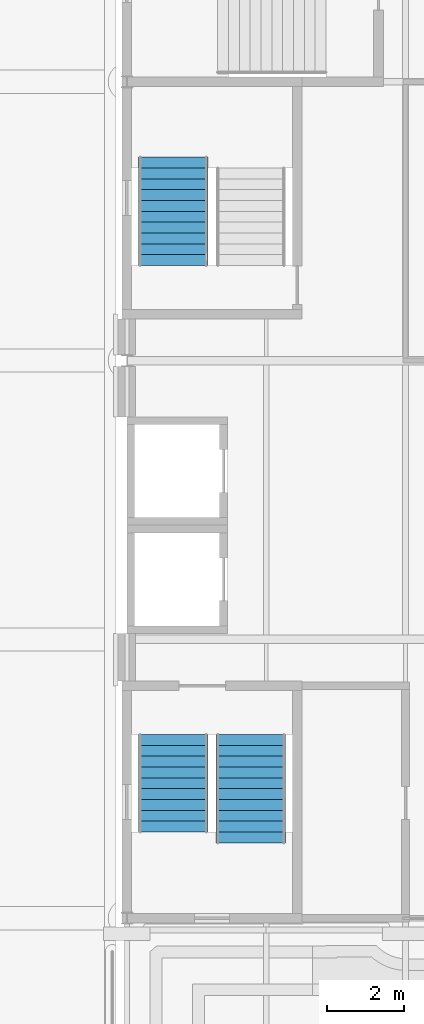
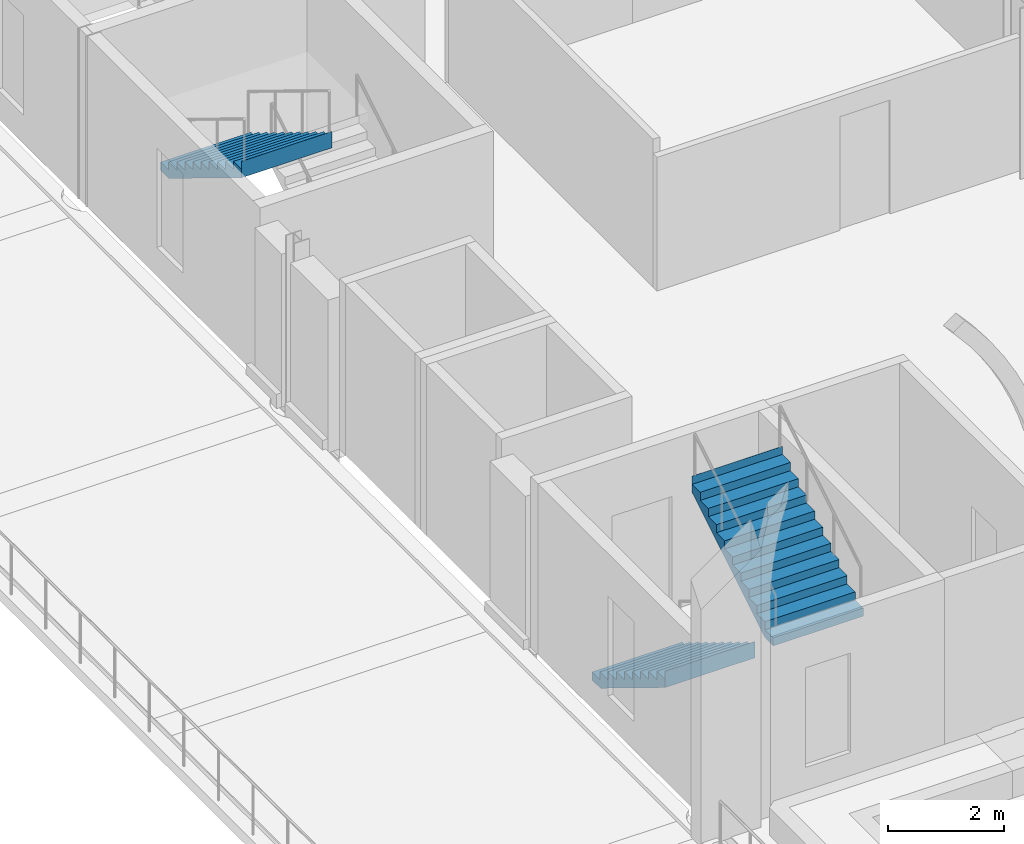
# One storey, part 88 of 143: 3 stair flights, 2 elements without a shape of their own.
"""IFC4 building model written with IfcOpenShell, lengths in metres."""

from ifc_helpers import new_model, si_unit, direction, frame, origin, place, context, subcontext, project, spatial, polyline, outline, extrude, material, type_object, element, aggregate, save


model = new_model("IFC4")

# Units and contexts
model_context = context("Model", 3, precision=1e-05, world=origin(), true_north=direction((0.0, 1.0)))
body_context = subcontext(model_context, "Body", "Model", "MODEL_VIEW")
ifc_project = project(units=[si_unit("LENGTHUNIT", "METRE"), si_unit("AREAUNIT", "SQUARE_METRE"), si_unit("VOLUMEUNIT", "CUBIC_METRE"), si_unit("PLANEANGLEUNIT", "RADIAN"), si_unit("MASSUNIT", "GRAM", prefix="KILO")], contexts=[model_context])

# Site, building, storey
site_placement = place(None, origin())
site = spatial("IfcSite", under=ifc_project, at=site_placement, CompositionType="ELEMENT")
building_placement = place(site_placement, origin())
building = spatial("IfcBuilding", under=site, at=building_placement, Name="Kupolbacken Congress Centre", CompositionType="ELEMENT")
storey_placement = place(building_placement, frame((0.0, 0.0, 7.199951171875)))
storey = spatial("IfcBuildingStorey", under=building, at=storey_placement, Name="L02", CompositionType="ELEMENT", Elevation=7.199951171875)

# Stair, stair flights
ifc_material_1 = material(Name="Steel S355", Category="steel")
stair_type = type_object("IfcStairType", Name="ST3 stair 1800", PredefinedType="TWO_STRAIGHT_RUN_STAIR", material=ifc_material_1)
stair_1_placement = place(storey_placement, origin())
stair_1 = element("IfcStair", 1, at=stair_1_placement, inside=storey, type_object=stair_type, Name="C/stair/FS1W/L02", PredefinedType="NOTDEFINED")
ifc_material_2 = material(Name="Steel S355", Category="steel")
stair_flight_type_1 = type_object("IfcStairFlightType", Name="FL5 stair flight 1800 x 10 risers", PredefinedType="STRAIGHT", material=ifc_material_2)
stair_flight_1_placement = place(storey_placement, frame((8.39990234375, 33.544921875, 0.0), z_axis=(0.0, 0.0, 1.0), x_axis=(0.0, -1.0, 0.0)))
stair_flight_1 = element("IfcStairFlight", 2, at=stair_flight_1_placement, type_object=stair_flight_type_1, Name="FS1W flight 1", NumberOfRisers=10, NumberOfTreads=9, PredefinedType="STRAIGHT", RiserHeight=0.171428571, TreadLength=0.28, context=body_context, shape_type="SweptSolid", body=[
    extrude(outline(polyline([(0.0, 0.0), (0.0, 0.0009765625), (0.0, 0.002197265625), (0.0, 0.003173828125), (0.0, 0.004150390625), (0.0, 0.00537109375), (0.0, 0.00634765625), (0.0, 0.007568359375), (0.0, 0.008544921875), (0.0, 0.009521484375), (0.0, 0.0107421875), (0.0, 0.01171875), (0.0, 0.0126953125), (0.0, 0.013916015625), (0.0, 0.014892578125), (0.0, 0.015869140625), (0.0, 0.01708984375), (0.0, 0.01806640625), (0.0, 0.019287109375), (0.0, 0.020263671875), (0.0, 0.021240234375), (0.0, 0.0224609375), (0.0, 0.0234375), (0.0, 0.0244140625), (0.0, 0.025634765625), (0.0, 0.026611328125), (0.0, 0.027587890625), (0.0, 0.02880859375), (0.0, 0.02978515625), (0.0, 0.03076171875), (0.0, 0.031982421875), (0.0, 0.032958984375), (0.0, 0.0341796875), (0.0, 0.03515625), (0.0, 0.0361328125), (0.0, 0.037353515625), (0.0, 0.038330078125), (0.0, 0.039306640625), (0.0, 0.04052734375), (0.0, 0.04150390625), (0.0, 0.04248046875), (0.0, 0.043701171875), (0.0, 0.044677734375), (0.0, 0.0458984375), (0.0, 0.046875), (0.0, 0.0478515625), (0.0, 0.049072265625), (0.0, 0.050048828125), (0.0, 0.051025390625), (0.0, 0.05224609375), (0.0, 0.05322265625), (0.0, 0.05419921875), (0.0, 0.055419921875), (0.0, 0.056396484375), (0.0, 0.0576171875), (0.0, 0.05859375), (0.0, 0.0595703125), (0.0, 0.060791015625), (0.0, 0.061767578125), (0.0, 0.062744140625), (0.0, 0.06396484375), (0.0, 0.06494140625), (0.0, 0.06591796875), (0.0, 0.067138671875), (0.0, 0.068115234375), (0.0, 0.069091796875), (0.0, 0.0703125), (0.0, 0.0712890625), (0.0, 0.072509765625), (0.0, 0.073486328125), (0.0, 0.074462890625), (0.0, 0.07568359375), (0.0, 0.07666015625), (0.0, 0.07763671875), (0.0, 0.078857421875), (0.0, 0.079833984375), (0.0, 0.080810546875), (0.0, 0.08203125), (0.0, 0.0830078125), (0.0, 0.084228515625), (0.0, 0.085205078125), (0.0, 0.086181640625), (0.0, 0.08740234375), (0.0, 0.08837890625), (0.0, 0.08935546875), (0.0, 0.090576171875), (0.0, 0.091552734375), (0.0, 0.092529296875), (0.0, 0.09375), (0.0, 0.0947265625), (0.0, 0.095947265625), (0.0, 0.096923828125), (0.0, 0.097900390625), (0.0, 0.09912109375), (0.0, 0.10009765625), (0.0, 0.10107421875), (0.0, 0.102294921875), (0.0, 0.103271484375), (0.0, 0.104248046875), (0.0, 0.10546875), (0.0, 0.1064453125), (0.0, 0.107421875), (0.0, 0.108642578125), (0.0, 0.109619140625), (0.0, 0.11083984375), (0.0, 0.11181640625), (0.0, 0.11279296875), (0.0, 0.114013671875), (0.0, 0.114990234375), (0.0, 0.115966796875), (0.0, 0.1171875), (0.0, 0.1181640625), (0.0, 0.119140625), (0.0, 0.120361328125), (0.0, 0.121337890625), (0.0, 0.12255859375), (0.0, 0.12353515625), (0.0, 0.12451171875), (0.0, 0.125732421875), (0.0, 0.126708984375), (0.0, 0.127685546875), (0.0, 0.12890625), (0.0, 0.1298828125), (0.0, 0.130859375), (0.0, 0.132080078125), (0.0, 0.133056640625), (0.0, 0.13427734375), (0.0, 0.13525390625), (0.0, 0.13623046875), (0.0, 0.137451171875), (0.0, 0.138427734375), (0.0, 0.139404296875), (0.0, 0.140625), (0.0, 0.1416015625), (0.0, 0.142578125), (0.0, 0.143798828125), (0.0, 0.144775390625), (0.0, 0.145751953125), (0.0, 0.14697265625), (0.0, 0.14794921875), (0.0, 0.149169921875), (0.0, 0.150146484375), (0.0, 0.151123046875), (0.0, 0.15234375), (0.0, 0.1533203125), (0.0, 0.154296875), (0.0, 0.155517578125), (0.0, 0.156494140625), (0.0, 0.157470703125), (0.0, 0.15869140625), (0.0, 0.15966796875), (0.0, 0.160888671875), (0.0, 0.161865234375), (0.0, 0.162841796875), (0.0, 0.1640625), (0.0, 0.1650390625), (0.0, 0.166015625), (0.0, 0.167236328125), (0.0, 0.168212890625), (0.0, 0.169189453125), (0.0, 0.17041015625), (0.0, 0.17138671875), (0.280029296875, 0.17138671875), (0.280029296875, 0.3427734375), (0.56005859375, 0.3427734375), (0.56005859375, 0.514404296875), (0.840087890625, 0.514404296875), (0.840087890625, 0.685791015625), (1.1201171875, 0.685791015625), (1.1201171875, 0.857177734375), (1.39990234375, 0.857177734375), (1.39990234375, 1.028564453125), (1.679931640625, 1.028564453125), (1.679931640625, 1.199951171875), (1.9599609375, 1.199951171875), (1.9599609375, 1.371337890625), (2.239990234375, 1.371337890625), (2.239990234375, 1.54296875), (2.52001953125, 1.54296875), (2.52001953125, 1.71435546875), (2.52197265625, 1.71435546875), (2.52197265625, 1.712158203125), (2.52197265625, 1.7099609375), (2.52197265625, 1.707763671875), (2.52197265625, 1.70556640625), (2.52197265625, 1.70361328125), (2.52197265625, 1.701416015625), (2.52197265625, 1.69921875), (2.52197265625, 1.697021484375), (2.52197265625, 1.69482421875), (2.52197265625, 1.692626953125), (2.52197265625, 1.690673828125), (2.52197265625, 1.6884765625), (2.52197265625, 1.686279296875), (2.52197265625, 1.68408203125), (2.52197265625, 1.681884765625), (2.52197265625, 1.6796875), (2.52197265625, 1.677734375), (2.52197265625, 1.675537109375), (2.52197265625, 1.67333984375), (2.52197265625, 1.671142578125), (2.52197265625, 1.6689453125), (2.52197265625, 1.666748046875), (2.52197265625, 1.664794921875), (2.52197265625, 1.66259765625), (2.52197265625, 1.660400390625), (2.52197265625, 1.658203125), (2.52197265625, 1.656005859375), (2.52197265625, 1.65380859375), (2.52197265625, 1.65185546875), (2.52197265625, 1.649658203125), (2.52197265625, 1.6474609375), (2.52197265625, 1.645263671875), (2.52197265625, 1.64306640625), (2.52197265625, 1.640869140625), (2.52197265625, 1.638916015625), (2.52197265625, 1.63671875), (2.52197265625, 1.634521484375), (2.52197265625, 1.63232421875), (2.52197265625, 1.630126953125), (2.52197265625, 1.6279296875), (2.52197265625, 1.6259765625), (2.52197265625, 1.623779296875), (2.52197265625, 1.62158203125), (2.52197265625, 1.619384765625), (2.52197265625, 1.6171875), (2.52197265625, 1.614990234375), (2.52197265625, 1.613037109375), (2.52197265625, 1.61083984375), (2.52197265625, 1.608642578125), (2.52197265625, 1.6064453125), (2.52197265625, 1.604248046875), (2.52197265625, 1.60205078125), (2.52197265625, 1.60009765625), (2.52197265625, 1.597900390625), (2.52197265625, 1.595703125), (2.52197265625, 1.593505859375), (2.52197265625, 1.59130859375), (2.52197265625, 1.589111328125), (2.52197265625, 1.587158203125), (2.52197265625, 1.5849609375), (2.52197265625, 1.582763671875), (2.52197265625, 1.58056640625), (2.52197265625, 1.578369140625), (2.52197265625, 1.576171875), (2.52197265625, 1.57421875), (2.52197265625, 1.572021484375), (2.52197265625, 1.56982421875), (2.52197265625, 1.567626953125), (2.52197265625, 1.5654296875), (2.52197265625, 1.563232421875), (2.52197265625, 1.561279296875), (2.52197265625, 1.55908203125), (2.52197265625, 1.556884765625), (2.52197265625, 1.5546875), (2.52197265625, 1.552490234375), (2.52197265625, 1.55029296875), (2.52197265625, 1.54833984375), (2.52197265625, 1.546142578125), (2.52197265625, 1.5439453125), (2.52197265625, 1.541748046875), (2.52197265625, 1.53955078125), (2.52197265625, 1.537353515625), (2.52197265625, 1.535400390625), (2.52197265625, 1.533203125), (2.52197265625, 1.531005859375), (2.52197265625, 1.52880859375), (2.52197265625, 1.526611328125), (2.52197265625, 1.5244140625), (2.52197265625, 1.5224609375), (2.52197265625, 1.520263671875), (2.52197265625, 1.51806640625), (2.52197265625, 1.515869140625), (2.52197265625, 1.513671875), (2.52197265625, 1.511474609375), (2.52197265625, 1.509521484375), (2.52197265625, 1.50732421875), (2.52197265625, 1.505126953125), (2.52197265625, 1.5029296875), (2.52197265625, 1.500732421875), (2.52197265625, 1.49853515625), (2.52197265625, 1.49658203125), (2.52197265625, 1.494384765625), (2.52197265625, 1.4921875), (2.52197265625, 1.489990234375), (2.52197265625, 1.48779296875), (2.52197265625, 1.485595703125), (2.52197265625, 1.483642578125), (2.52197265625, 1.4814453125), (2.52197265625, 1.479248046875), (2.52197265625, 1.47705078125), (2.52197265625, 1.474853515625), (2.52197265625, 1.47265625), (2.52197265625, 1.470703125), (2.52197265625, 1.468505859375), (2.52197265625, 1.46630859375), (2.52197265625, 1.464111328125), (2.52197265625, 1.4619140625), (2.52197265625, 1.459716796875), (2.52197265625, 1.457763671875), (2.52197265625, 1.45556640625), (2.52197265625, 1.453369140625), (2.52197265625, 1.451171875), (2.52197265625, 1.448974609375), (2.52197265625, 1.44677734375), (2.52197265625, 1.44482421875), (2.52197265625, 1.442626953125), (2.52197265625, 1.4404296875), (2.52197265625, 1.438232421875), (2.52197265625, 1.43603515625), (2.52197265625, 1.433837890625), (2.52197265625, 1.431884765625), (2.52197265625, 1.4296875), (2.52197265625, 1.427490234375), (2.52197265625, 1.42529296875), (2.52197265625, 1.423095703125), (2.52197265625, 1.4208984375), (2.52197265625, 1.4189453125), (2.52197265625, 1.416748046875), (2.52197265625, 1.41455078125), (2.52197265625, 1.412353515625), (2.52197265625, 1.41015625), (2.52197265625, 1.407958984375), (2.52197265625, 1.406005859375), (2.52197265625, 1.40380859375), (2.52197265625, 1.401611328125), (2.52197265625, 1.3994140625), (2.52197265625, 1.397216796875), (2.52197265625, 1.39501953125), (2.52197265625, 1.39306640625), (2.52197265625, 1.390869140625), (2.52197265625, 1.388671875), (2.52197265625, 1.386474609375), (2.52197265625, 1.38427734375), (2.52197265625, 1.382080078125), (2.52197265625, 1.380126953125), (2.52197265625, 1.3779296875), (2.52197265625, 1.375732421875), (2.52197265625, 1.37353515625), (2.52197265625, 1.371337890625), (2.52197265625, 1.369140625), (2.52197265625, 1.3671875), (0.2890625, 0.0), (0.0, 0.0)])), frame((0.0, 0.89990234375, 0.0), z_axis=(0.0, -1.0, 0.0), x_axis=(1.0, 0.0, 0.0)), (0.0, 0.0, 1.0), 1.800048828125),
])
ifc_material_3 = material(Name="Steel S355", Category="steel")
stair_flight_type_2 = type_object("IfcStairFlightType", Name="FL6 stair flight 1800 x 11 risers", PredefinedType="STRAIGHT", material=ifc_material_3)
stair_flight_2_placement = place(storey_placement, frame((10.39990234375, 30.7451171875, 1.71435546875), z_axis=(0.0, 0.0, 1.0), x_axis=(0.0, 1.0, 0.0)))
stair_flight_2 = element("IfcStairFlight", 3, at=stair_flight_2_placement, type_object=stair_flight_type_2, Name="FS1W flight 2", NumberOfRisers=11, NumberOfTreads=10, PredefinedType="STRAIGHT", RiserHeight=0.171428571, TreadLength=0.28, context=body_context, shape_type="SweptSolid", body=[
    extrude(outline(polyline([(0.0, 0.0), (0.0, 0.0009765625), (0.0, 0.002197265625), (0.0, 0.003173828125), (0.0, 0.004150390625), (0.0, 0.00537109375), (0.0, 0.00634765625), (0.0, 0.007568359375), (0.0, 0.008544921875), (0.0, 0.009521484375), (0.0, 0.0107421875), (0.0, 0.01171875), (0.0, 0.0126953125), (0.0, 0.013916015625), (0.0, 0.014892578125), (0.0, 0.015869140625), (0.0, 0.01708984375), (0.0, 0.01806640625), (0.0, 0.019287109375), (0.0, 0.020263671875), (0.0, 0.021240234375), (0.0, 0.0224609375), (0.0, 0.0234375), (0.0, 0.0244140625), (0.0, 0.025634765625), (0.0, 0.026611328125), (0.0, 0.027587890625), (0.0, 0.02880859375), (0.0, 0.02978515625), (0.0, 0.03076171875), (0.0, 0.031982421875), (0.0, 0.032958984375), (0.0, 0.0341796875), (0.0, 0.03515625), (0.0, 0.0361328125), (0.0, 0.037353515625), (0.0, 0.038330078125), (0.0, 0.039306640625), (0.0, 0.04052734375), (0.0, 0.04150390625), (0.0, 0.04248046875), (0.0, 0.043701171875), (0.0, 0.044677734375), (0.0, 0.0458984375), (0.0, 0.046875), (0.0, 0.0478515625), (0.0, 0.049072265625), (0.0, 0.050048828125), (0.0, 0.051025390625), (0.0, 0.05224609375), (0.0, 0.05322265625), (0.0, 0.05419921875), (0.0, 0.055419921875), (0.0, 0.056396484375), (0.0, 0.0576171875), (0.0, 0.05859375), (0.0, 0.0595703125), (0.0, 0.060791015625), (0.0, 0.061767578125), (0.0, 0.062744140625), (0.0, 0.06396484375), (0.0, 0.06494140625), (0.0, 0.06591796875), (0.0, 0.067138671875), (0.0, 0.068115234375), (0.0, 0.069091796875), (0.0, 0.0703125), (0.0, 0.0712890625), (0.0, 0.072509765625), (0.0, 0.073486328125), (0.0, 0.074462890625), (0.0, 0.07568359375), (0.0, 0.07666015625), (0.0, 0.07763671875), (0.0, 0.078857421875), (0.0, 0.079833984375), (0.0, 0.080810546875), (0.0, 0.08203125), (0.0, 0.0830078125), (0.0, 0.084228515625), (0.0, 0.085205078125), (0.0, 0.086181640625), (0.0, 0.08740234375), (0.0, 0.08837890625), (0.0, 0.08935546875), (0.0, 0.090576171875), (0.0, 0.091552734375), (0.0, 0.092529296875), (0.0, 0.09375), (0.0, 0.0947265625), (0.0, 0.095947265625), (0.0, 0.096923828125), (0.0, 0.097900390625), (0.0, 0.09912109375), (0.0, 0.10009765625), (0.0, 0.10107421875), (0.0, 0.102294921875), (0.0, 0.103271484375), (0.0, 0.104248046875), (0.0, 0.10546875), (0.0, 0.1064453125), (0.0, 0.107421875), (0.0, 0.108642578125), (0.0, 0.109619140625), (0.0, 0.11083984375), (0.0, 0.11181640625), (0.0, 0.11279296875), (0.0, 0.114013671875), (0.0, 0.114990234375), (0.0, 0.115966796875), (0.0, 0.1171875), (0.0, 0.1181640625), (0.0, 0.119140625), (0.0, 0.120361328125), (0.0, 0.121337890625), (0.0, 0.12255859375), (0.0, 0.12353515625), (0.0, 0.12451171875), (0.0, 0.125732421875), (0.0, 0.126708984375), (0.0, 0.127685546875), (0.0, 0.12890625), (0.0, 0.1298828125), (0.0, 0.130859375), (0.0, 0.132080078125), (0.0, 0.133056640625), (0.0, 0.13427734375), (0.0, 0.13525390625), (0.0, 0.13623046875), (0.0, 0.137451171875), (0.0, 0.138427734375), (0.0, 0.139404296875), (0.0, 0.140625), (0.0, 0.1416015625), (0.0, 0.142578125), (0.0, 0.143798828125), (0.0, 0.144775390625), (0.0, 0.145751953125), (0.0, 0.14697265625), (0.0, 0.14794921875), (0.0, 0.149169921875), (0.0, 0.150146484375), (0.0, 0.151123046875), (0.0, 0.15234375), (0.0, 0.1533203125), (0.0, 0.154296875), (0.0, 0.155517578125), (0.0, 0.156494140625), (0.0, 0.157470703125), (0.0, 0.15869140625), (0.0, 0.15966796875), (0.0, 0.160888671875), (0.0, 0.161865234375), (0.0, 0.162841796875), (0.0, 0.1640625), (0.0, 0.1650390625), (0.0, 0.166015625), (0.0, 0.167236328125), (0.0, 0.168212890625), (0.0, 0.169189453125), (0.0, 0.17041015625), (0.0, 0.17138671875), (0.280029296875, 0.17138671875), (0.280029296875, 0.3427734375), (0.56005859375, 0.3427734375), (0.56005859375, 0.514404296875), (0.840087890625, 0.514404296875), (0.840087890625, 0.685791015625), (1.1201171875, 0.685791015625), (1.1201171875, 0.857177734375), (1.39990234375, 0.857177734375), (1.39990234375, 1.028564453125), (1.679931640625, 1.028564453125), (1.679931640625, 1.199951171875), (1.9599609375, 1.199951171875), (1.9599609375, 1.371337890625), (2.239990234375, 1.371337890625), (2.239990234375, 1.54296875), (2.52001953125, 1.54296875), (2.52001953125, 1.71435546875), (2.800048828125, 1.71435546875), (2.800048828125, 1.8857421875), (2.802001953125, 1.8857421875), (2.802001953125, 1.883544921875), (2.802001953125, 1.88134765625), (2.802001953125, 1.879150390625), (2.802001953125, 1.877197265625), (2.802001953125, 1.875), (2.802001953125, 1.872802734375), (2.802001953125, 1.87060546875), (2.802001953125, 1.868408203125), (2.802001953125, 1.8662109375), (2.802001953125, 1.8642578125), (2.802001953125, 1.862060546875), (2.802001953125, 1.85986328125), (2.802001953125, 1.857666015625), (2.802001953125, 1.85546875), (2.802001953125, 1.853271484375), (2.802001953125, 1.851318359375), (2.802001953125, 1.84912109375), (2.802001953125, 1.846923828125), (2.802001953125, 1.8447265625), (2.802001953125, 1.842529296875), (2.802001953125, 1.84033203125), (2.802001953125, 1.83837890625), (2.802001953125, 1.836181640625), (2.802001953125, 1.833984375), (2.802001953125, 1.831787109375), (2.802001953125, 1.82958984375), (2.802001953125, 1.827392578125), (2.802001953125, 1.825439453125), (2.802001953125, 1.8232421875), (2.802001953125, 1.821044921875), (2.802001953125, 1.81884765625), (2.802001953125, 1.816650390625), (2.802001953125, 1.814453125), (2.802001953125, 1.8125), (2.802001953125, 1.810302734375), (2.802001953125, 1.80810546875), (2.802001953125, 1.805908203125), (2.802001953125, 1.8037109375), (2.802001953125, 1.801513671875), (2.802001953125, 1.799560546875), (2.802001953125, 1.79736328125), (2.802001953125, 1.795166015625), (2.802001953125, 1.79296875), (2.802001953125, 1.790771484375), (2.802001953125, 1.78857421875), (2.802001953125, 1.78662109375), (2.802001953125, 1.784423828125), (2.802001953125, 1.7822265625), (2.802001953125, 1.780029296875), (2.802001953125, 1.77783203125), (2.802001953125, 1.775634765625), (2.802001953125, 1.773681640625), (2.802001953125, 1.771484375), (2.802001953125, 1.769287109375), (2.802001953125, 1.76708984375), (2.802001953125, 1.764892578125), (2.802001953125, 1.7626953125), (2.802001953125, 1.7607421875), (2.802001953125, 1.758544921875), (2.802001953125, 1.75634765625), (2.802001953125, 1.754150390625), (2.802001953125, 1.751953125), (2.802001953125, 1.749755859375), (2.802001953125, 1.747802734375), (2.802001953125, 1.74560546875), (2.802001953125, 1.743408203125), (2.802001953125, 1.7412109375), (2.802001953125, 1.739013671875), (2.802001953125, 1.73681640625), (2.802001953125, 1.73486328125), (2.802001953125, 1.732666015625), (2.802001953125, 1.73046875), (2.802001953125, 1.728271484375), (2.802001953125, 1.72607421875), (2.802001953125, 1.723876953125), (2.802001953125, 1.721923828125), (2.802001953125, 1.7197265625), (2.802001953125, 1.717529296875), (2.802001953125, 1.71533203125), (2.802001953125, 1.713134765625), (2.802001953125, 1.7109375), (2.802001953125, 1.708984375), (2.802001953125, 1.706787109375), (2.802001953125, 1.70458984375), (2.802001953125, 1.702392578125), (2.802001953125, 1.7001953125), (2.802001953125, 1.697998046875), (2.802001953125, 1.696044921875), (2.802001953125, 1.69384765625), (2.802001953125, 1.691650390625), (2.802001953125, 1.689453125), (2.802001953125, 1.687255859375), (2.802001953125, 1.68505859375), (2.802001953125, 1.68310546875), (2.802001953125, 1.680908203125), (2.802001953125, 1.6787109375), (2.802001953125, 1.676513671875), (2.802001953125, 1.67431640625), (2.802001953125, 1.672119140625), (2.802001953125, 1.670166015625), (2.802001953125, 1.66796875), (2.802001953125, 1.665771484375), (2.802001953125, 1.66357421875), (2.802001953125, 1.661376953125), (2.802001953125, 1.6591796875), (2.802001953125, 1.6572265625), (2.802001953125, 1.655029296875), (2.802001953125, 1.65283203125), (2.802001953125, 1.650634765625), (2.802001953125, 1.6484375), (2.802001953125, 1.646240234375), (2.802001953125, 1.644287109375), (2.802001953125, 1.64208984375), (2.802001953125, 1.639892578125), (2.802001953125, 1.6376953125), (2.802001953125, 1.635498046875), (2.802001953125, 1.63330078125), (2.802001953125, 1.63134765625), (2.802001953125, 1.629150390625), (2.802001953125, 1.626953125), (2.802001953125, 1.624755859375), (2.802001953125, 1.62255859375), (2.802001953125, 1.620361328125), (2.802001953125, 1.618408203125), (2.802001953125, 1.6162109375), (2.802001953125, 1.614013671875), (2.802001953125, 1.61181640625), (2.802001953125, 1.609619140625), (2.802001953125, 1.607421875), (2.802001953125, 1.60546875), (2.802001953125, 1.603271484375), (2.802001953125, 1.60107421875), (2.802001953125, 1.598876953125), (2.802001953125, 1.5966796875), (2.802001953125, 1.594482421875), (2.802001953125, 1.592529296875), (2.802001953125, 1.59033203125), (2.802001953125, 1.588134765625), (2.802001953125, 1.5859375), (2.802001953125, 1.583740234375), (2.802001953125, 1.58154296875), (2.802001953125, 1.57958984375), (2.802001953125, 1.577392578125), (2.802001953125, 1.5751953125), (2.802001953125, 1.572998046875), (2.802001953125, 1.57080078125), (2.802001953125, 1.568603515625), (2.802001953125, 1.566650390625), (2.802001953125, 1.564453125), (2.802001953125, 1.562255859375), (2.802001953125, 1.56005859375), (2.802001953125, 1.557861328125), (2.802001953125, 1.5556640625), (2.802001953125, 1.5537109375), (2.802001953125, 1.551513671875), (2.802001953125, 1.54931640625), (2.802001953125, 1.547119140625), (2.802001953125, 1.544921875), (2.802001953125, 1.542724609375), (2.802001953125, 1.540771484375), (2.802001953125, 1.53857421875), (0.2890625, 0.0), (0.0, 0.0)])), frame((0.0, 0.89990234375, 0.0), z_axis=(0.0, -1.0, 0.0), x_axis=(1.0, 0.0, 0.0)), (0.0, 0.0, 1.0), 1.800048828125),
])
aggregate(stair_1, [stair_flight_1, stair_flight_2])

# Stair, stair flight
stair_2_placement = place(storey_placement, origin())
stair_2 = element("IfcStair", 4, at=stair_2_placement, inside=storey, type_object=stair_type, Name="C/stair/FS2W/L02", PredefinedType="NOTDEFINED")
stair_flight_3_placement = place(storey_placement, frame((8.39990234375, 48.455078125, 1.71435546875), z_axis=(0.0, 0.0, 1.0), x_axis=(0.0, -1.0, 0.0)))
stair_flight_3 = element("IfcStairFlight", 5, at=stair_flight_3_placement, type_object=stair_flight_type_2, Name="FS2W flight 2", NumberOfRisers=11, NumberOfTreads=10, PredefinedType="STRAIGHT", RiserHeight=0.171428571, TreadLength=0.28, context=body_context, shape_type="SweptSolid", body=[
    extrude(outline(polyline([(0.0, 0.0), (0.0, 0.0009765625), (0.0, 0.002197265625), (0.0, 0.003173828125), (0.0, 0.004150390625), (0.0, 0.00537109375), (0.0, 0.00634765625), (0.0, 0.007568359375), (0.0, 0.008544921875), (0.0, 0.009521484375), (0.0, 0.0107421875), (0.0, 0.01171875), (0.0, 0.0126953125), (0.0, 0.013916015625), (0.0, 0.014892578125), (0.0, 0.015869140625), (0.0, 0.01708984375), (0.0, 0.01806640625), (0.0, 0.019287109375), (0.0, 0.020263671875), (0.0, 0.021240234375), (0.0, 0.0224609375), (0.0, 0.0234375), (0.0, 0.0244140625), (0.0, 0.025634765625), (0.0, 0.026611328125), (0.0, 0.027587890625), (0.0, 0.02880859375), (0.0, 0.02978515625), (0.0, 0.03076171875), (0.0, 0.031982421875), (0.0, 0.032958984375), (0.0, 0.0341796875), (0.0, 0.03515625), (0.0, 0.0361328125), (0.0, 0.037353515625), (0.0, 0.038330078125), (0.0, 0.039306640625), (0.0, 0.04052734375), (0.0, 0.04150390625), (0.0, 0.04248046875), (0.0, 0.043701171875), (0.0, 0.044677734375), (0.0, 0.0458984375), (0.0, 0.046875), (0.0, 0.0478515625), (0.0, 0.049072265625), (0.0, 0.050048828125), (0.0, 0.051025390625), (0.0, 0.05224609375), (0.0, 0.05322265625), (0.0, 0.05419921875), (0.0, 0.055419921875), (0.0, 0.056396484375), (0.0, 0.0576171875), (0.0, 0.05859375), (0.0, 0.0595703125), (0.0, 0.060791015625), (0.0, 0.061767578125), (0.0, 0.062744140625), (0.0, 0.06396484375), (0.0, 0.06494140625), (0.0, 0.06591796875), (0.0, 0.067138671875), (0.0, 0.068115234375), (0.0, 0.069091796875), (0.0, 0.0703125), (0.0, 0.0712890625), (0.0, 0.072509765625), (0.0, 0.073486328125), (0.0, 0.074462890625), (0.0, 0.07568359375), (0.0, 0.07666015625), (0.0, 0.07763671875), (0.0, 0.078857421875), (0.0, 0.079833984375), (0.0, 0.080810546875), (0.0, 0.08203125), (0.0, 0.0830078125), (0.0, 0.084228515625), (0.0, 0.085205078125), (0.0, 0.086181640625), (0.0, 0.08740234375), (0.0, 0.08837890625), (0.0, 0.08935546875), (0.0, 0.090576171875), (0.0, 0.091552734375), (0.0, 0.092529296875), (0.0, 0.09375), (0.0, 0.0947265625), (0.0, 0.095947265625), (0.0, 0.096923828125), (0.0, 0.097900390625), (0.0, 0.09912109375), (0.0, 0.10009765625), (0.0, 0.10107421875), (0.0, 0.102294921875), (0.0, 0.103271484375), (0.0, 0.104248046875), (0.0, 0.10546875), (0.0, 0.1064453125), (0.0, 0.107421875), (0.0, 0.108642578125), (0.0, 0.109619140625), (0.0, 0.11083984375), (0.0, 0.11181640625), (0.0, 0.11279296875), (0.0, 0.114013671875), (0.0, 0.114990234375), (0.0, 0.115966796875), (0.0, 0.1171875), (0.0, 0.1181640625), (0.0, 0.119140625), (0.0, 0.120361328125), (0.0, 0.121337890625), (0.0, 0.12255859375), (0.0, 0.12353515625), (0.0, 0.12451171875), (0.0, 0.125732421875), (0.0, 0.126708984375), (0.0, 0.127685546875), (0.0, 0.12890625), (0.0, 0.1298828125), (0.0, 0.130859375), (0.0, 0.132080078125), (0.0, 0.133056640625), (0.0, 0.13427734375), (0.0, 0.13525390625), (0.0, 0.13623046875), (0.0, 0.137451171875), (0.0, 0.138427734375), (0.0, 0.139404296875), (0.0, 0.140625), (0.0, 0.1416015625), (0.0, 0.142578125), (0.0, 0.143798828125), (0.0, 0.144775390625), (0.0, 0.145751953125), (0.0, 0.14697265625), (0.0, 0.14794921875), (0.0, 0.149169921875), (0.0, 0.150146484375), (0.0, 0.151123046875), (0.0, 0.15234375), (0.0, 0.1533203125), (0.0, 0.154296875), (0.0, 0.155517578125), (0.0, 0.156494140625), (0.0, 0.157470703125), (0.0, 0.15869140625), (0.0, 0.15966796875), (0.0, 0.160888671875), (0.0, 0.161865234375), (0.0, 0.162841796875), (0.0, 0.1640625), (0.0, 0.1650390625), (0.0, 0.166015625), (0.0, 0.167236328125), (0.0, 0.168212890625), (0.0, 0.169189453125), (0.0, 0.17041015625), (0.0, 0.17138671875), (0.280029296875, 0.17138671875), (0.280029296875, 0.3427734375), (0.56005859375, 0.3427734375), (0.56005859375, 0.514404296875), (0.840087890625, 0.514404296875), (0.840087890625, 0.685791015625), (1.1201171875, 0.685791015625), (1.1201171875, 0.857177734375), (1.39990234375, 0.857177734375), (1.39990234375, 1.028564453125), (1.679931640625, 1.028564453125), (1.679931640625, 1.199951171875), (1.9599609375, 1.199951171875), (1.9599609375, 1.371337890625), (2.239990234375, 1.371337890625), (2.239990234375, 1.54296875), (2.52001953125, 1.54296875), (2.52001953125, 1.71435546875), (2.800048828125, 1.71435546875), (2.800048828125, 1.8857421875), (2.802001953125, 1.8857421875), (2.802001953125, 1.883544921875), (2.802001953125, 1.88134765625), (2.802001953125, 1.879150390625), (2.802001953125, 1.877197265625), (2.802001953125, 1.875), (2.802001953125, 1.872802734375), (2.802001953125, 1.87060546875), (2.802001953125, 1.868408203125), (2.802001953125, 1.8662109375), (2.802001953125, 1.8642578125), (2.802001953125, 1.862060546875), (2.802001953125, 1.85986328125), (2.802001953125, 1.857666015625), (2.802001953125, 1.85546875), (2.802001953125, 1.853271484375), (2.802001953125, 1.851318359375), (2.802001953125, 1.84912109375), (2.802001953125, 1.846923828125), (2.802001953125, 1.8447265625), (2.802001953125, 1.842529296875), (2.802001953125, 1.84033203125), (2.802001953125, 1.83837890625), (2.802001953125, 1.836181640625), (2.802001953125, 1.833984375), (2.802001953125, 1.831787109375), (2.802001953125, 1.82958984375), (2.802001953125, 1.827392578125), (2.802001953125, 1.825439453125), (2.802001953125, 1.8232421875), (2.802001953125, 1.821044921875), (2.802001953125, 1.81884765625), (2.802001953125, 1.816650390625), (2.802001953125, 1.814453125), (2.802001953125, 1.8125), (2.802001953125, 1.810302734375), (2.802001953125, 1.80810546875), (2.802001953125, 1.805908203125), (2.802001953125, 1.8037109375), (2.802001953125, 1.801513671875), (2.802001953125, 1.799560546875), (2.802001953125, 1.79736328125), (2.802001953125, 1.795166015625), (2.802001953125, 1.79296875), (2.802001953125, 1.790771484375), (2.802001953125, 1.78857421875), (2.802001953125, 1.78662109375), (2.802001953125, 1.784423828125), (2.802001953125, 1.7822265625), (2.802001953125, 1.780029296875), (2.802001953125, 1.77783203125), (2.802001953125, 1.775634765625), (2.802001953125, 1.773681640625), (2.802001953125, 1.771484375), (2.802001953125, 1.769287109375), (2.802001953125, 1.76708984375), (2.802001953125, 1.764892578125), (2.802001953125, 1.7626953125), (2.802001953125, 1.7607421875), (2.802001953125, 1.758544921875), (2.802001953125, 1.75634765625), (2.802001953125, 1.754150390625), (2.802001953125, 1.751953125), (2.802001953125, 1.749755859375), (2.802001953125, 1.747802734375), (2.802001953125, 1.74560546875), (2.802001953125, 1.743408203125), (2.802001953125, 1.7412109375), (2.802001953125, 1.739013671875), (2.802001953125, 1.73681640625), (2.802001953125, 1.73486328125), (2.802001953125, 1.732666015625), (2.802001953125, 1.73046875), (2.802001953125, 1.728271484375), (2.802001953125, 1.72607421875), (2.802001953125, 1.723876953125), (2.802001953125, 1.721923828125), (2.802001953125, 1.7197265625), (2.802001953125, 1.717529296875), (2.802001953125, 1.71533203125), (2.802001953125, 1.713134765625), (2.802001953125, 1.7109375), (2.802001953125, 1.708984375), (2.802001953125, 1.706787109375), (2.802001953125, 1.70458984375), (2.802001953125, 1.702392578125), (2.802001953125, 1.7001953125), (2.802001953125, 1.697998046875), (2.802001953125, 1.696044921875), (2.802001953125, 1.69384765625), (2.802001953125, 1.691650390625), (2.802001953125, 1.689453125), (2.802001953125, 1.687255859375), (2.802001953125, 1.68505859375), (2.802001953125, 1.68310546875), (2.802001953125, 1.680908203125), (2.802001953125, 1.6787109375), (2.802001953125, 1.676513671875), (2.802001953125, 1.67431640625), (2.802001953125, 1.672119140625), (2.802001953125, 1.670166015625), (2.802001953125, 1.66796875), (2.802001953125, 1.665771484375), (2.802001953125, 1.66357421875), (2.802001953125, 1.661376953125), (2.802001953125, 1.6591796875), (2.802001953125, 1.6572265625), (2.802001953125, 1.655029296875), (2.802001953125, 1.65283203125), (2.802001953125, 1.650634765625), (2.802001953125, 1.6484375), (2.802001953125, 1.646240234375), (2.802001953125, 1.644287109375), (2.802001953125, 1.64208984375), (2.802001953125, 1.639892578125), (2.802001953125, 1.6376953125), (2.802001953125, 1.635498046875), (2.802001953125, 1.63330078125), (2.802001953125, 1.63134765625), (2.802001953125, 1.629150390625), (2.802001953125, 1.626953125), (2.802001953125, 1.624755859375), (2.802001953125, 1.62255859375), (2.802001953125, 1.620361328125), (2.802001953125, 1.618408203125), (2.802001953125, 1.6162109375), (2.802001953125, 1.614013671875), (2.802001953125, 1.61181640625), (2.802001953125, 1.609619140625), (2.802001953125, 1.607421875), (2.802001953125, 1.60546875), (2.802001953125, 1.603271484375), (2.802001953125, 1.60107421875), (2.802001953125, 1.598876953125), (2.802001953125, 1.5966796875), (2.802001953125, 1.594482421875), (2.802001953125, 1.592529296875), (2.802001953125, 1.59033203125), (2.802001953125, 1.588134765625), (2.802001953125, 1.5859375), (2.802001953125, 1.583740234375), (2.802001953125, 1.58154296875), (2.802001953125, 1.57958984375), (2.802001953125, 1.577392578125), (2.802001953125, 1.5751953125), (2.802001953125, 1.572998046875), (2.802001953125, 1.57080078125), (2.802001953125, 1.568603515625), (2.802001953125, 1.566650390625), (2.802001953125, 1.564453125), (2.802001953125, 1.562255859375), (2.802001953125, 1.56005859375), (2.802001953125, 1.557861328125), (2.802001953125, 1.5556640625), (2.802001953125, 1.5537109375), (2.802001953125, 1.551513671875), (2.802001953125, 1.54931640625), (2.802001953125, 1.547119140625), (2.802001953125, 1.544921875), (2.802001953125, 1.542724609375), (2.802001953125, 1.540771484375), (2.802001953125, 1.53857421875), (0.2890625, 0.0), (0.0, 0.0)])), frame((0.0, 0.89990234375, 0.0), z_axis=(0.0, -1.0, 0.0), x_axis=(1.0, 0.0, 0.0)), (0.0, 0.0, 1.0), 1.800048828125),
])
aggregate(stair_2, [stair_flight_3])

save(model, "model.ifc")
